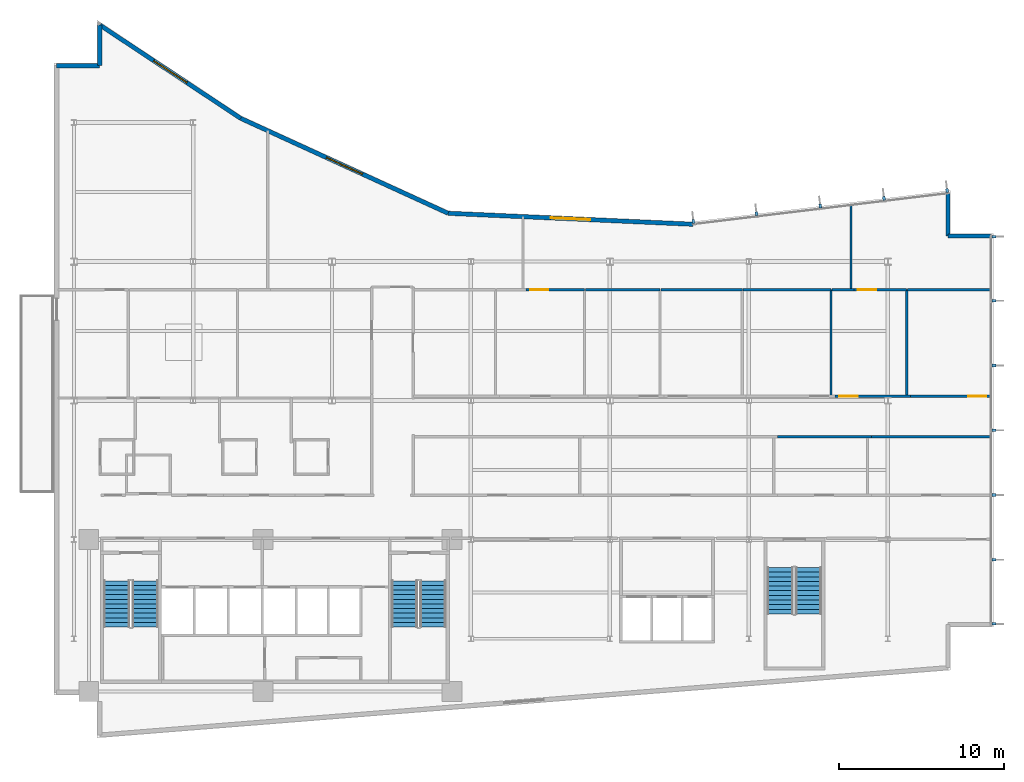
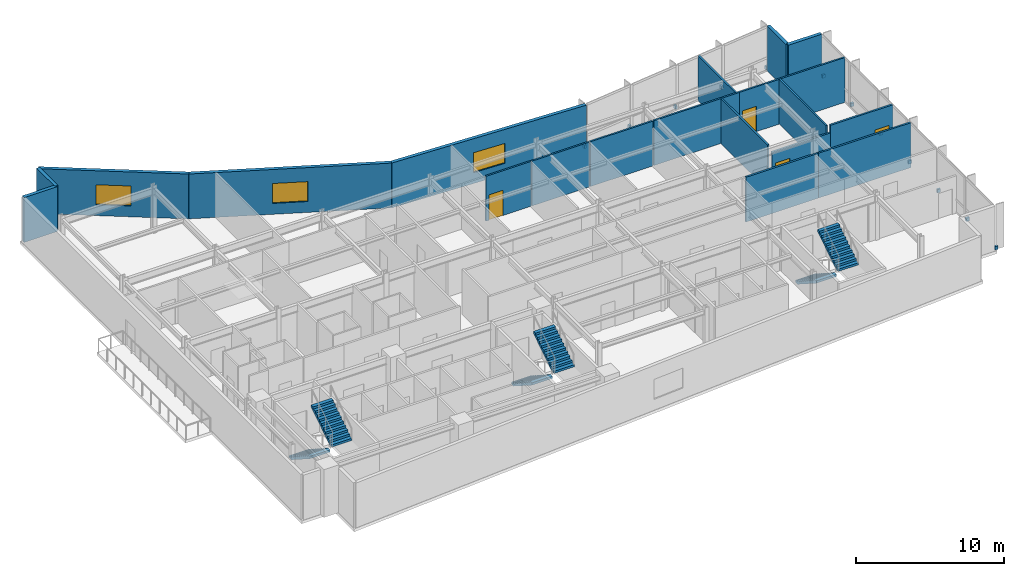
# One storey, part 13 of 17: 21 walls, 12 discrete accessories, 6 stair flights, 4 doors, 3 windows, 7 openings, 3 elements without a shape of their own.
"""IFC4 building model written with IfcOpenShell, lengths in metres."""

from ifc_helpers import new_model, si_unit, direction, frame, frame_2d, origin, origin_2d, place, context, subcontext, project, spatial, polyline, rectangle, outline, extrude, material, layer, layer_set, type_object, element, fill, aggregate, save


model = new_model("IFC4")

# Units and contexts
model_context = context("Model", 3, precision=1e-05, world=origin(), true_north=direction((0.0, 1.0)))
body_context = subcontext(model_context, "Body", "Model", "MODEL_VIEW")
ifc_project = project(units=[si_unit("LENGTHUNIT", "METRE"), si_unit("AREAUNIT", "SQUARE_METRE"), si_unit("VOLUMEUNIT", "CUBIC_METRE"), si_unit("PLANEANGLEUNIT", "RADIAN"), si_unit("MASSUNIT", "GRAM", prefix="KILO")], contexts=[model_context])

# Site, building, storey
site_placement = place(None, origin())
site = spatial("IfcSite", under=ifc_project, at=site_placement, CompositionType="ELEMENT")
building_placement = place(site_placement, origin())
building = spatial("IfcBuilding", under=site, at=building_placement, Name="Varnakote Quay Hospital", CompositionType="ELEMENT")
storey_placement = place(building_placement, frame((0.0, 0.0, 127.050048828125)))
storey = spatial("IfcBuildingStorey", under=building, at=storey_placement, Name="L31", CompositionType="ELEMENT", Elevation=127.050048828125)

# Walls
ifc_material_1 = material(Name="Precast concrete N50 (f'c 50 MPa)", Category="concrete")
ifc_layer_1 = layer(ifc_material_1, 0.260009765625)
ifc_layer_set_1 = layer_set([ifc_layer_1], Name="Precast concrete N50 (f'c 50 MPa)")
wall_type_1 = type_object("IfcWallType", Name="WL-EXT-BRICK-260", PredefinedType="STANDARD", material=ifc_layer_set_1)
wall_1_placement = place(storey_placement, frame((56.639892578125, 30.340087890625, 0.0), z_axis=(0.0, 0.0, 1.0), x_axis=(-1.0, 0.0, 0.0)))
element("IfcWall", 1, at=wall_1_placement, inside=storey, type_object=wall_type_1, Name="L31 Brick-Faced Precast Exterior Wall", PredefinedType="STANDARD", context=body_context, shape_type="SweptSolid", body=[
    extrude(rectangle(XDim=2.599853515625, YDim=0.260009765625, at=frame_2d((1.2998046875, 0.0))), origin(), (0.0, 0.0, 1.0), 3.7099609375),
])
wall_2_placement = place(storey_placement, frame((54.0400390625, 30.340087890625, 0.0), z_axis=(0.0, 0.0, 1.0), x_axis=(0.0, 1.0, 0.0)))
element("IfcWall", 2, at=wall_2_placement, inside=storey, type_object=wall_type_1, Name="L31 Brick-Faced Precast Exterior Wall", PredefinedType="STANDARD", context=body_context, shape_type="SweptSolid", body=[
    extrude(rectangle(XDim=2.579345703125, YDim=0.260009765625, at=frame_2d((1.28955078125, 0.0))), origin(), (0.0, 0.0, 1.0), 3.7099609375),
])

# Wall, opening, window
wall_3_placement = place(storey_placement, frame((38.630126953125, 31.051513671875, 0.0), z_axis=(0.0, 0.0, 1.0), x_axis=(-0.998996592956, 0.044786239663, 0.0)))
wall_3 = element("IfcWall", 3, at=wall_3_placement, inside=storey, type_object=wall_type_1, Name="L31 Brick-Faced Precast Exterior Wall", PredefinedType="STANDARD", context=body_context, shape_type="SweptSolid", body=[
    extrude(rectangle(XDim=14.827392578125, YDim=0.260009765625, at=frame_2d((7.41357421875, 0.0))), origin(), (0.0, 0.0, 1.0), 3.7099609375),
])
opening_1_placement = place(wall_3_placement, frame((6.213623046875, 0.0, 0.89990234375)))
opening_1 = element("IfcOpeningElement", 4, at=opening_1_placement, cuts=wall_3, Name="Opening WN-0135", PredefinedType="OPENING", context=body_context, shape_type="SweptSolid", body=[
    extrude(rectangle(XDim=2.39990234375, YDim=1.64990234375, at=frame_2d((1.199951171875, 0.824951171875))), frame((0.0, 0.139892578125, 0.0), z_axis=(0.0, -1.0, 0.0), x_axis=(1.0, 0.0, 0.0)), (0.0, 0.0, 1.0), 0.280029296875),
])
ifc_material_2 = material(Name="Double-glazed low-E solar glass", Category="glass")
window_type = type_object("IfcWindowType", Name="WIN-CLIN-2400x1650", PartitioningType="SINGLE_PANEL", PredefinedType="WINDOW", material=ifc_material_2)
window_1_placement = place(opening_1_placement, origin())
window_1 = element("IfcWindow", 5, at=window_1_placement, inside=storey, type_object=window_type, Name="L31 Solar-Control Clinical Window", OverallHeight=1.64990234375, OverallWidth=2.39990234375, PartitioningType="SINGLE_PANEL", PredefinedType="WINDOW", context=body_context, shape_type="SweptSolid", body=[
    extrude(rectangle(XDim=2.39990234375, YDim=1.64990234375, at=frame_2d((1.199951171875, 0.824951171875))), frame((0.0, 0.030029296875, 0.0), z_axis=(0.0, -1.0, 0.0), x_axis=(1.0, 0.0, 0.0)), (0.0, 0.0, 1.0), 0.06005859375),
])
fill(opening_1, window_1)

wall_4_placement = place(storey_placement, frame((23.817626953125, 31.715576171875, 0.0), z_axis=(0.0, 0.0, 1.0), x_axis=(-0.909209527513, 0.416338846471, 0.0)))
wall_4 = element("IfcWall", 6, at=wall_4_placement, inside=storey, type_object=wall_type_1, Name="L31 Brick-Faced Precast Exterior Wall", PredefinedType="STANDARD", context=body_context, shape_type="SweptSolid", body=[
    extrude(rectangle(XDim=13.787353515625, YDim=0.260009765625, at=frame_2d((6.8935546875, 0.0))), origin(), (0.0, 0.0, 1.0), 3.7099609375),
])
opening_2_placement = place(wall_4_placement, frame((5.693603515625, 0.0, 0.89990234375)))
opening_2 = element("IfcOpeningElement", 7, at=opening_2_placement, cuts=wall_4, Name="Opening WN-0136", PredefinedType="OPENING", context=body_context, shape_type="SweptSolid", body=[
    extrude(rectangle(XDim=2.39990234375, YDim=1.64990234375, at=frame_2d((1.199951171875, 0.824951171875))), frame((0.0, 0.139892578125, 0.0), z_axis=(0.0, -1.0, 0.0), x_axis=(1.0, 0.0, 0.0)), (0.0, 0.0, 1.0), 0.280029296875),
])
window_2_placement = place(opening_2_placement, origin())
window_2 = element("IfcWindow", 8, at=window_2_placement, inside=storey, type_object=window_type, Name="L31 Solar-Control Clinical Window", OverallHeight=1.64990234375, OverallWidth=2.39990234375, PartitioningType="SINGLE_PANEL", PredefinedType="WINDOW", context=body_context, shape_type="SweptSolid", body=[
    extrude(rectangle(XDim=2.39990234375, YDim=1.64990234375, at=frame_2d((1.199951171875, 0.824951171875))), frame((0.0, 0.030029296875, 0.0), z_axis=(0.0, -1.0, 0.0), x_axis=(1.0, 0.0, 0.0)), (0.0, 0.0, 1.0), 0.06005859375),
])
fill(opening_2, window_2)

wall_5_placement = place(storey_placement, frame((11.281982421875, 37.455810546875, 0.0), z_axis=(0.0, 0.0, 1.0), x_axis=(-0.833630474253, 0.552322580017, 0.0)))
wall_5 = element("IfcWall", 9, at=wall_5_placement, inside=storey, type_object=wall_type_1, Name="L31 Brick-Faced Precast Exterior Wall", PredefinedType="STANDARD", context=body_context, shape_type="SweptSolid", body=[
    extrude(rectangle(XDim=10.22265625, YDim=0.260009765625, at=frame_2d((5.111328125, 0.0))), origin(), (0.0, 0.0, 1.0), 3.7099609375),
])
opening_3_placement = place(wall_5_placement, frame((3.911376953125, 0.0, 0.89990234375)))
opening_3 = element("IfcOpeningElement", 10, at=opening_3_placement, cuts=wall_5, Name="Opening WN-0137", PredefinedType="OPENING", context=body_context, shape_type="SweptSolid", body=[
    extrude(rectangle(XDim=2.39990234375, YDim=1.64990234375, at=frame_2d((1.199951171875, 0.824951171875))), frame((0.0, 0.139892578125, 0.0), z_axis=(0.0, -1.0, 0.0), x_axis=(1.0, 0.0, 0.0)), (0.0, 0.0, 1.0), 0.280029296875),
])
window_3_placement = place(opening_3_placement, origin())
window_3 = element("IfcWindow", 11, at=window_3_placement, inside=storey, type_object=window_type, Name="L31 Solar-Control Clinical Window", OverallHeight=1.64990234375, OverallWidth=2.39990234375, PartitioningType="SINGLE_PANEL", PredefinedType="WINDOW", context=body_context, shape_type="SweptSolid", body=[
    extrude(rectangle(XDim=2.39990234375, YDim=1.64990234375, at=frame_2d((1.199951171875, 0.824951171875))), frame((0.0, 0.030029296875, 0.0), z_axis=(0.0, -1.0, 0.0), x_axis=(1.0, 0.0, 0.0)), (0.0, 0.0, 1.0), 0.06005859375),
])
fill(opening_3, window_3)

# Walls
wall_6_placement = place(storey_placement, frame((2.760009765625, 43.10205078125, 0.0), z_axis=(0.0, 0.0, 1.0), x_axis=(0.0, -1.0, 0.0)))
element("IfcWall", 12, at=wall_6_placement, inside=storey, type_object=wall_type_1, Name="L31 Brick-Faced Precast Exterior Wall", PredefinedType="STANDARD", context=body_context, shape_type="SweptSolid", body=[
    extrude(rectangle(XDim=2.462158203125, YDim=0.260009765625, at=frame_2d((1.23095703125, 0.0))), origin(), (0.0, 0.0, 1.0), 3.7099609375),
])
wall_7_placement = place(storey_placement, frame((2.760009765625, 40.639892578125, 0.0), z_axis=(0.0, 0.0, 1.0), x_axis=(-1.0, 0.0, 0.0)))
element("IfcWall", 13, at=wall_7_placement, inside=storey, type_object=wall_type_1, Name="L31 Brick-Faced Precast Exterior Wall", PredefinedType="STANDARD", context=body_context, shape_type="SweptSolid", body=[
    extrude(rectangle(XDim=2.60009765625, YDim=0.260009765625, at=frame_2d((1.300048828125, 0.0))), origin(), (0.0, 0.0, 1.0), 3.7099609375),
])

# Wall, opening, door
ifc_material_3 = material(Name="Smoke-proof clinical partition", Category="gypsum")
ifc_layer_2 = layer(ifc_material_3, 0.135009765625)
ifc_layer_set_2 = layer_set([ifc_layer_2], Name="Smoke-proof clinical partition")
wall_type_2 = type_object("IfcWallType", Name="WL-SMOKE-135", PredefinedType="PARTITIONING", material=ifc_layer_set_2)
wall_8_placement = place(storey_placement, frame((32.06005859375, 27.10009765625, 0.0), z_axis=(0.0, 0.0, 1.0), x_axis=(-1.0, 0.0, 0.0)))
wall_8 = element("IfcWall", 14, at=wall_8_placement, inside=storey, type_object=wall_type_2, Name="L31 Clinical Interior Partition", PredefinedType="PARTITIONING", context=body_context, shape_type="SweptSolid", body=[
    extrude(rectangle(XDim=3.53955078125, YDim=0.135009765625, at=frame_2d((1.769775390625, 0.0))), origin(), (0.0, 0.0, 1.0), 3.7099609375),
])
opening_4_placement = place(wall_8_placement, frame((2.1884765625, 0.0, 0.0)))
opening_4 = element("IfcOpeningElement", 15, at=opening_4_placement, cuts=wall_8, Name="Opening D-L31-MD17", PredefinedType="OPENING", context=body_context, shape_type="SweptSolid", body=[
    extrude(rectangle(XDim=1.10009765625, YDim=2.10009765625, at=frame_2d((0.550048828125, 1.050048828125))), frame((0.0, 0.077392578125, 0.0), z_axis=(0.0, -1.0, 0.0), x_axis=(1.0, 0.0, 0.0)), (0.0, 0.0, 1.0), 0.155029296875),
])
ifc_material_4 = material(Name="Acoustic timber clinical consult door", Category="wood")
door_type = type_object("IfcDoorType", Name="DR-CLIN-FD30S-1100x2100", OperationType="NOTDEFINED", PredefinedType="DOOR", material=ifc_material_4)
door_1_placement = place(opening_4_placement, origin())
door_1 = element("IfcDoor", 16, at=door_1_placement, inside=storey, type_object=door_type, Name="L31 Paediatric Clinical Teaching Room Door", OperationType="SINGLE_SWING_LEFT", OverallHeight=2.10009765625, OverallWidth=1.10009765625, PredefinedType="DOOR", context=body_context, shape_type="SweptSolid", body=[
    extrude(rectangle(XDim=1.10009765625, YDim=2.10009765625, at=frame_2d((0.550048828125, 1.050048828125))), frame((0.0, 0.02490234375, 0.0), z_axis=(0.0, -1.0, 0.0), x_axis=(1.0, 0.0, 0.0)), (0.0, 0.0, 1.0), 0.050048828125),
])
fill(opening_4, door_1)

# Walls
wall_9_placement = place(storey_placement, frame((36.6298828125, 27.10009765625, 0.0), z_axis=(0.0, 0.0, 1.0), x_axis=(-1.0, 0.0, 0.0)))
element("IfcWall", 17, at=wall_9_placement, inside=storey, type_object=wall_type_2, Name="L31 Clinical Interior Partition", PredefinedType="PARTITIONING", context=body_context, shape_type="SweptSolid", body=[
    extrude(rectangle(XDim=4.512451171875, YDim=0.135009765625, at=frame_2d((2.25634765625, 0.0))), origin(), (0.0, 0.0, 1.0), 3.7099609375),
])
wall_10_placement = place(storey_placement, frame((41.60009765625, 27.10009765625, 0.0), z_axis=(0.0, 0.0, 1.0), x_axis=(-1.0, 0.0, 0.0)))
element("IfcWall", 18, at=wall_10_placement, inside=storey, type_object=wall_type_2, Name="L31 Clinical Interior Partition", PredefinedType="PARTITIONING", context=body_context, shape_type="SweptSolid", body=[
    extrude(rectangle(XDim=4.91259765625, YDim=0.135009765625, at=frame_2d((2.456298828125, 0.0))), origin(), (0.0, 0.0, 1.0), 3.7099609375),
])
wall_11_placement = place(storey_placement, frame((46.969970703125, 20.715087890625, 0.0), z_axis=(0.0, 0.0, 1.0), x_axis=(0.0, 1.0, 0.0)))
element("IfcWall", 19, at=wall_11_placement, inside=storey, type_object=wall_type_2, Name="L31 Clinical Interior Partition", PredefinedType="PARTITIONING", context=body_context, shape_type="SweptSolid", body=[
    extrude(rectangle(XDim=6.385009765625, YDim=0.135009765625, at=frame_2d((3.1923828125, 0.0))), origin(), (0.0, 0.0, 1.0), 3.7099609375),
])
wall_12_placement = place(storey_placement, frame((46.969970703125, 27.10009765625, 0.0), z_axis=(0.0, 0.0, 1.0), x_axis=(-1.0, 0.0, 0.0)))
element("IfcWall", 20, at=wall_12_placement, inside=storey, type_object=wall_type_2, Name="L31 Clinical Interior Partition", PredefinedType="PARTITIONING", context=body_context, shape_type="SweptSolid", body=[
    extrude(rectangle(XDim=5.3125, YDim=0.135009765625, at=frame_2d((2.65625, 0.0))), origin(), (0.0, 0.0, 1.0), 3.7099609375),
])
wall_13_placement = place(storey_placement, frame((51.5400390625, 20.715087890625, 0.0), z_axis=(0.0, 0.0, 1.0), x_axis=(0.0, 1.0, 0.0)))
element("IfcWall", 21, at=wall_13_placement, inside=storey, type_object=wall_type_2, Name="L31 Clinical Interior Partition", PredefinedType="PARTITIONING", context=body_context, shape_type="SweptSolid", body=[
    extrude(rectangle(XDim=6.385009765625, YDim=0.135009765625, at=frame_2d((3.1923828125, 0.0))), origin(), (0.0, 0.0, 1.0), 3.7099609375),
])
wall_14_placement = place(storey_placement, frame((48.348388671875, 27.10009765625, 0.0), z_axis=(0.0, 0.0, 1.0), x_axis=(-1.0, 0.0, 0.0)))
element("IfcWall", 22, at=wall_14_placement, inside=storey, type_object=wall_type_2, Name="L31 Clinical Interior Partition", PredefinedType="PARTITIONING", context=body_context, shape_type="SweptSolid", body=[
    extrude(rectangle(XDim=1.32080078125, YDim=0.135009765625, at=frame_2d((0.660400390625, 0.0))), origin(), (0.0, 0.0, 1.0), 3.7099609375),
])

# Wall, opening, door
wall_15_placement = place(storey_placement, frame((51.5400390625, 27.10009765625, 0.0), z_axis=(0.0, 0.0, 1.0), x_axis=(-1.0, 0.0, 0.0)))
wall_15 = element("IfcWall", 23, at=wall_15_placement, inside=storey, type_object=wall_type_2, Name="L31 Clinical Interior Partition", PredefinedType="PARTITIONING", context=body_context, shape_type="SweptSolid", body=[
    extrude(rectangle(XDim=3.189453125, YDim=0.135009765625, at=frame_2d((1.5947265625, 0.0))), origin(), (0.0, 0.0, 1.0), 3.7099609375),
])
opening_5_placement = place(wall_15_placement, frame((1.847412109375, 0.0, 0.0)))
opening_5 = element("IfcOpeningElement", 24, at=opening_5_placement, cuts=wall_15, Name="Opening D-L31-MD18", PredefinedType="OPENING", context=body_context, shape_type="SweptSolid", body=[
    extrude(rectangle(XDim=1.10009765625, YDim=2.10009765625, at=frame_2d((0.550048828125, 1.050048828125))), frame((0.0, 0.077392578125, 0.0), z_axis=(0.0, -1.0, 0.0), x_axis=(1.0, 0.0, 0.0)), (0.0, 0.0, 1.0), 0.155029296875),
])
door_2_placement = place(opening_5_placement, origin())
door_2 = element("IfcDoor", 25, at=door_2_placement, inside=storey, type_object=door_type, Name="L31 Maternity Assessment Treatment Suite Door", OperationType="SINGLE_SWING_RIGHT", OverallHeight=2.10009765625, OverallWidth=1.10009765625, PredefinedType="DOOR", context=body_context, shape_type="SweptSolid", body=[
    extrude(rectangle(XDim=1.10009765625, YDim=2.10009765625, at=frame_2d((0.550048828125, 1.050048828125))), frame((0.0, 0.02490234375, 0.0), z_axis=(0.0, -1.0, 0.0), x_axis=(1.0, 0.0, 0.0)), (0.0, 0.0, 1.0), 0.050048828125),
])
fill(opening_5, door_2)

# Walls
wall_16_placement = place(storey_placement, frame((56.639892578125, 27.10009765625, 0.0), z_axis=(0.0, 0.0, 1.0), x_axis=(-1.0, 0.0, 0.0)))
element("IfcWall", 26, at=wall_16_placement, inside=storey, type_object=wall_type_2, Name="L31 Clinical Interior Partition", PredefinedType="PARTITIONING", context=body_context, shape_type="SweptSolid", body=[
    extrude(rectangle(XDim=5.04248046875, YDim=0.135009765625, at=frame_2d((2.521240234375, 0.0))), origin(), (0.0, 0.0, 1.0), 3.7099609375),
])
wall_17_placement = place(storey_placement, frame((48.169921875, 27.157470703125, 0.0), z_axis=(0.0, 0.0, 1.0), x_axis=(0.0, 1.0, 0.0)))
element("IfcWall", 27, at=wall_17_placement, inside=storey, type_object=wall_type_2, Name="L31 Clinical Interior Partition", PredefinedType="PARTITIONING", context=body_context, shape_type="SweptSolid", body=[
    extrude(rectangle(XDim=5.050537109375, YDim=0.135009765625, at=frame_2d((2.525390625, 0.0))), origin(), (0.0, 0.0, 1.0), 3.7099609375),
])
ifc_material_5 = material(Name="Fire-rated clinical gypsum partition", Category="gypsum")
ifc_layer_3 = layer(ifc_material_5, 0.14990234375)
ifc_layer_set_3 = layer_set([ifc_layer_3], Name="Fire-rated clinical gypsum partition")
wall_type_3 = type_object("IfcWallType", Name="WL-WARD-150", PredefinedType="PARTITIONING", material=ifc_layer_set_3)
wall_18_placement = place(storey_placement, frame((43.72802734375, 18.199951171875, 0.0), z_axis=(0.0, 0.0, 1.0), x_axis=(1.0, 0.0, 0.0)))
element("IfcWall", 28, at=wall_18_placement, inside=storey, type_object=wall_type_3, Name="L31 Clinical Interior Partition", PredefinedType="PARTITIONING", context=body_context, shape_type="SweptSolid", body=[
    extrude(rectangle(XDim=5.66796875, YDim=0.14990234375, at=frame_2d((2.833984375, 0.0))), origin(), (0.0, 0.0, 1.0), 3.7099609375),
])
wall_19_placement = place(storey_placement, frame((49.39794921875, 18.199951171875, 0.0), z_axis=(0.0, 0.0, 1.0), x_axis=(1.0, 0.0, 0.0)))
element("IfcWall", 29, at=wall_19_placement, inside=storey, type_object=wall_type_3, Name="L31 Clinical Interior Partition", PredefinedType="PARTITIONING", context=body_context, shape_type="SweptSolid", body=[
    extrude(rectangle(XDim=7.241943359375, YDim=0.14990234375, at=frame_2d((3.62109375, 0.0))), origin(), (0.0, 0.0, 1.0), 3.7099609375),
])

# Wall, opening, door
wall_20_placement = place(storey_placement, frame((51.76611328125, 20.64990234375, 0.0), z_axis=(0.0, 0.0, 1.0), x_axis=(-1.0, 0.0, 0.0)))
wall_20 = element("IfcWall", 30, at=wall_20_placement, inside=storey, type_object=wall_type_3, Name="L31 Clinical Interior Partition", PredefinedType="PARTITIONING", context=body_context, shape_type="SweptSolid", body=[
    extrude(rectangle(XDim=4.568115234375, YDim=0.14990234375, at=frame_2d((2.2841796875, 0.0))), origin(), (0.0, 0.0, 1.0), 3.0830078125),
])
opening_6_placement = place(wall_20_placement, frame((3.19140625, 0.0, 0.0)))
opening_6 = element("IfcOpeningElement", 31, at=opening_6_placement, cuts=wall_20, Name="Opening D-L31-MD13", PredefinedType="OPENING", context=body_context, shape_type="SweptSolid", body=[
    extrude(rectangle(XDim=1.10009765625, YDim=2.10009765625, at=frame_2d((0.550048828125, 1.050048828125))), frame((0.0, 0.0849609375, 0.0), z_axis=(0.0, -1.0, 0.0), x_axis=(1.0, 0.0, 0.0)), (0.0, 0.0, 1.0), 0.169921875),
])
door_3_placement = place(opening_6_placement, origin())
door_3 = element("IfcDoor", 32, at=door_3_placement, inside=storey, type_object=door_type, Name="L31 Paediatric Clinical Teaching Room Door", OperationType="SINGLE_SWING_RIGHT", OverallHeight=2.10009765625, OverallWidth=1.10009765625, PredefinedType="DOOR", context=body_context, shape_type="SweptSolid", body=[
    extrude(rectangle(XDim=1.10009765625, YDim=2.10009765625, at=frame_2d((0.550048828125, 1.050048828125))), frame((0.0, 0.02490234375, 0.0), z_axis=(0.0, -1.0, 0.0), x_axis=(1.0, 0.0, 0.0)), (0.0, 0.0, 1.0), 0.050048828125),
])
fill(opening_6, door_3)

wall_21_placement = place(storey_placement, frame((56.639892578125, 20.64990234375, 0.0), z_axis=(0.0, 0.0, 1.0), x_axis=(-1.0, 0.0, 0.0)))
wall_21 = element("IfcWall", 33, at=wall_21_placement, inside=storey, type_object=wall_type_3, Name="L31 Clinical Interior Partition", PredefinedType="PARTITIONING", context=body_context, shape_type="SweptSolid", body=[
    extrude(rectangle(XDim=4.871826171875, YDim=0.14990234375, at=frame_2d((2.43603515625, 0.0))), origin(), (0.0, 0.0, 1.0), 3.7099609375),
])
opening_7_placement = place(wall_21_placement, frame((0.2841796875, 0.0, 0.0)))
opening_7 = element("IfcOpeningElement", 34, at=opening_7_placement, cuts=wall_21, Name="Opening D-L31-MD14", PredefinedType="OPENING", context=body_context, shape_type="SweptSolid", body=[
    extrude(rectangle(XDim=1.10009765625, YDim=2.10009765625, at=frame_2d((0.550048828125, 1.050048828125))), frame((0.0, 0.0849609375, 0.0), z_axis=(0.0, -1.0, 0.0), x_axis=(1.0, 0.0, 0.0)), (0.0, 0.0, 1.0), 0.169921875),
])
door_4_placement = place(opening_7_placement, origin())
door_4 = element("IfcDoor", 35, at=door_4_placement, inside=storey, type_object=door_type, Name="L31 Maternity Assessment Treatment Suite Door", OperationType="SINGLE_SWING_LEFT", OverallHeight=2.10009765625, OverallWidth=1.10009765625, PredefinedType="DOOR", context=body_context, shape_type="SweptSolid", body=[
    extrude(rectangle(XDim=1.10009765625, YDim=2.10009765625, at=frame_2d((0.550048828125, 1.050048828125))), frame((0.0, 0.02490234375, 0.0), z_axis=(0.0, -1.0, 0.0), x_axis=(1.0, 0.0, 0.0)), (0.0, 0.0, 1.0), 0.050048828125),
])
fill(opening_7, door_4)

# Stair, stair flights
ifc_material_6 = material(Name="Concrete N40 (f'c 40 MPa)", Category="concrete")
stair_type = type_object("IfcStairType", Name="STR-CORE-1580", PredefinedType="HALF_TURN_STAIR", material=ifc_material_6)
stair_1_placement = place(storey_placement, origin())
stair_1 = element("IfcStair", 36, at=stair_1_placement, inside=storey, type_object=stair_type, Name="L31 Fire-Isolated Exit Stair ST-01", PredefinedType="HALF_TURN_STAIR")
ifc_material_7 = material(Name="Concrete N40 (f'c 40 MPa)", Category="concrete")
ifc_layer_4 = layer(ifc_material_7, 0.159912109375)
ifc_layer_set_4 = layer_set([ifc_layer_4], Name="Concrete N40 (f'c 40 MPa)")
stair_flight_type = type_object("IfcStairFlightType", Name="FLT-CORE-1580", PredefinedType="STRAIGHT", material=ifc_layer_set_4)
stair_flight_1_placement = place(storey_placement, frame((3.7900390625, 9.5, 0.0), z_axis=(0.0, 0.0, 1.0), x_axis=(0.0, -1.0, 0.0)))
stair_flight_1 = element("IfcStairFlight", 37, at=stair_flight_1_placement, type_object=stair_flight_type, Name="ST-01 flight 1", NumberOfRisers=11, NumberOfTreads=10, PredefinedType="STRAIGHT", RiserHeight=0.179545455, TreadLength=0.28, context=body_context, shape_type="SweptSolid", body=[
    extrude(outline(polyline([(0.0, 0.0), (0.0, 0.179443359375), (0.280029296875, 0.179443359375), (0.280029296875, 0.359130859375), (0.56005859375, 0.359130859375), (0.56005859375, 0.53857421875), (0.840087890625, 0.53857421875), (0.840087890625, 0.71826171875), (1.1201171875, 0.71826171875), (1.1201171875, 0.897705078125), (1.39990234375, 0.897705078125), (1.39990234375, 1.077392578125), (1.679931640625, 1.077392578125), (1.679931640625, 1.2568359375), (1.9599609375, 1.2568359375), (1.9599609375, 1.436279296875), (2.239990234375, 1.436279296875), (2.239990234375, 1.615966796875), (2.52001953125, 1.615966796875), (2.52001953125, 1.79541015625), (2.800048828125, 1.79541015625), (2.800048828125, 1.97509765625), (2.800048828125, 1.60546875), (0.296142578125, 0.0), (0.0, 0.0)])), frame((0.0, 0.7900390625, 0.0), z_axis=(0.0, -1.0, 0.0), x_axis=(1.0, 0.0, 0.0)), (0.0, 0.0, 1.0), 1.580078125),
])
stair_flight_2_placement = place(storey_placement, frame((5.510009765625, 6.699951171875, 1.974853515625), z_axis=(0.0, 0.0, 1.0), x_axis=(0.0, 1.0, 0.0)))
stair_flight_2 = element("IfcStairFlight", 38, at=stair_flight_2_placement, type_object=stair_flight_type, Name="ST-01 flight 2", NumberOfRisers=11, NumberOfTreads=10, PredefinedType="STRAIGHT", RiserHeight=0.179545455, TreadLength=0.28, context=body_context, shape_type="SweptSolid", body=[
    extrude(outline(polyline([(0.0, 0.0), (0.0, 0.179443359375), (0.280029296875, 0.179443359375), (0.280029296875, 0.359130859375), (0.56005859375, 0.359130859375), (0.56005859375, 0.53857421875), (0.840087890625, 0.53857421875), (0.840087890625, 0.71826171875), (1.1201171875, 0.71826171875), (1.1201171875, 0.897705078125), (1.39990234375, 0.897705078125), (1.39990234375, 1.077392578125), (1.679931640625, 1.077392578125), (1.679931640625, 1.2568359375), (1.9599609375, 1.2568359375), (1.9599609375, 1.436279296875), (2.239990234375, 1.436279296875), (2.239990234375, 1.615966796875), (2.52001953125, 1.615966796875), (2.52001953125, 1.79541015625), (2.800048828125, 1.79541015625), (2.800048828125, 1.97509765625), (2.800048828125, 1.60546875), (0.296142578125, 0.0), (0.0, 0.0)])), frame((0.0, 0.7900390625, 0.0), z_axis=(0.0, -1.0, 0.0), x_axis=(1.0, 0.0, 0.0)), (0.0, 0.0, 1.0), 1.580078125),
])
aggregate(stair_1, [stair_flight_1, stair_flight_2])

stair_2_placement = place(storey_placement, origin())
stair_2 = element("IfcStair", 39, at=stair_2_placement, inside=storey, type_object=stair_type, Name="L31 Fire-Isolated Exit Stair ST-02", PredefinedType="HALF_TURN_STAIR")
stair_flight_3_placement = place(storey_placement, frame((21.18994140625, 9.5, 0.0), z_axis=(0.0, 0.0, 1.0), x_axis=(0.0, -1.0, 0.0)))
stair_flight_3 = element("IfcStairFlight", 40, at=stair_flight_3_placement, type_object=stair_flight_type, Name="ST-02 flight 1", NumberOfRisers=11, NumberOfTreads=10, PredefinedType="STRAIGHT", RiserHeight=0.179545455, TreadLength=0.28, context=body_context, shape_type="SweptSolid", body=[
    extrude(outline(polyline([(0.0, 0.0), (0.0, 0.179443359375), (0.280029296875, 0.179443359375), (0.280029296875, 0.359130859375), (0.56005859375, 0.359130859375), (0.56005859375, 0.53857421875), (0.840087890625, 0.53857421875), (0.840087890625, 0.71826171875), (1.1201171875, 0.71826171875), (1.1201171875, 0.897705078125), (1.39990234375, 0.897705078125), (1.39990234375, 1.077392578125), (1.679931640625, 1.077392578125), (1.679931640625, 1.2568359375), (1.9599609375, 1.2568359375), (1.9599609375, 1.436279296875), (2.239990234375, 1.436279296875), (2.239990234375, 1.615966796875), (2.52001953125, 1.615966796875), (2.52001953125, 1.79541015625), (2.800048828125, 1.79541015625), (2.800048828125, 1.97509765625), (2.800048828125, 1.60546875), (0.296142578125, 0.0), (0.0, 0.0)])), frame((0.0, 0.7900390625, 0.0), z_axis=(0.0, -1.0, 0.0), x_axis=(1.0, 0.0, 0.0)), (0.0, 0.0, 1.0), 1.580078125),
])
stair_flight_4_placement = place(storey_placement, frame((22.909912109375, 6.699951171875, 1.974853515625), z_axis=(0.0, 0.0, 1.0), x_axis=(0.0, 1.0, 0.0)))
stair_flight_4 = element("IfcStairFlight", 41, at=stair_flight_4_placement, type_object=stair_flight_type, Name="ST-02 flight 2", NumberOfRisers=11, NumberOfTreads=10, PredefinedType="STRAIGHT", RiserHeight=0.179545455, TreadLength=0.28, context=body_context, shape_type="SweptSolid", body=[
    extrude(outline(polyline([(0.0, 0.0), (0.0, 0.179443359375), (0.280029296875, 0.179443359375), (0.280029296875, 0.359130859375), (0.56005859375, 0.359130859375), (0.56005859375, 0.53857421875), (0.840087890625, 0.53857421875), (0.840087890625, 0.71826171875), (1.1201171875, 0.71826171875), (1.1201171875, 0.897705078125), (1.39990234375, 0.897705078125), (1.39990234375, 1.077392578125), (1.679931640625, 1.077392578125), (1.679931640625, 1.2568359375), (1.9599609375, 1.2568359375), (1.9599609375, 1.436279296875), (2.239990234375, 1.436279296875), (2.239990234375, 1.615966796875), (2.52001953125, 1.615966796875), (2.52001953125, 1.79541015625), (2.800048828125, 1.79541015625), (2.800048828125, 1.97509765625), (2.800048828125, 1.60546875), (0.296142578125, 0.0), (0.0, 0.0)])), frame((0.0, 0.7900390625, 0.0), z_axis=(0.0, -1.0, 0.0), x_axis=(1.0, 0.0, 0.0)), (0.0, 0.0, 1.0), 1.580078125),
])
aggregate(stair_2, [stair_flight_3, stair_flight_4])

stair_3_placement = place(storey_placement, origin())
stair_3 = element("IfcStair", 42, at=stair_3_placement, inside=storey, type_object=stair_type, Name="L31 Fire-Isolated Exit Stair ST-03", PredefinedType="HALF_TURN_STAIR")
stair_flight_5_placement = place(storey_placement, frame((43.889892578125, 10.300048828125, 0.0), z_axis=(0.0, 0.0, 1.0), x_axis=(0.0, -1.0, 0.0)))
stair_flight_5 = element("IfcStairFlight", 43, at=stair_flight_5_placement, type_object=stair_flight_type, Name="ST-03 flight 1", NumberOfRisers=11, NumberOfTreads=10, PredefinedType="STRAIGHT", RiserHeight=0.179545455, TreadLength=0.28, context=body_context, shape_type="SweptSolid", body=[
    extrude(outline(polyline([(0.0, 0.0), (0.0, 0.179443359375), (0.280029296875, 0.179443359375), (0.280029296875, 0.359130859375), (0.56005859375, 0.359130859375), (0.56005859375, 0.53857421875), (0.840087890625, 0.53857421875), (0.840087890625, 0.71826171875), (1.1201171875, 0.71826171875), (1.1201171875, 0.897705078125), (1.39990234375, 0.897705078125), (1.39990234375, 1.077392578125), (1.679931640625, 1.077392578125), (1.679931640625, 1.2568359375), (1.9599609375, 1.2568359375), (1.9599609375, 1.436279296875), (2.239990234375, 1.436279296875), (2.239990234375, 1.615966796875), (2.52001953125, 1.615966796875), (2.52001953125, 1.79541015625), (2.800048828125, 1.79541015625), (2.800048828125, 1.97509765625), (2.800048828125, 1.60546875), (0.296142578125, 0.0), (0.0, 0.0)])), frame((0.0, 0.7900390625, 0.0), z_axis=(0.0, -1.0, 0.0), x_axis=(1.0, 0.0, 0.0)), (0.0, 0.0, 1.0), 1.580078125),
])
stair_flight_6_placement = place(storey_placement, frame((45.610107421875, 7.5, 1.974853515625), z_axis=(0.0, 0.0, 1.0), x_axis=(0.0, 1.0, 0.0)))
stair_flight_6 = element("IfcStairFlight", 44, at=stair_flight_6_placement, type_object=stair_flight_type, Name="ST-03 flight 2", NumberOfRisers=11, NumberOfTreads=10, PredefinedType="STRAIGHT", RiserHeight=0.179545455, TreadLength=0.28, context=body_context, shape_type="SweptSolid", body=[
    extrude(outline(polyline([(0.0, 0.0), (0.0, 0.179443359375), (0.280029296875, 0.179443359375), (0.280029296875, 0.359130859375), (0.56005859375, 0.359130859375), (0.56005859375, 0.53857421875), (0.840087890625, 0.53857421875), (0.840087890625, 0.71826171875), (1.1201171875, 0.71826171875), (1.1201171875, 0.897705078125), (1.39990234375, 0.897705078125), (1.39990234375, 1.077392578125), (1.679931640625, 1.077392578125), (1.679931640625, 1.2568359375), (1.9599609375, 1.2568359375), (1.9599609375, 1.436279296875), (2.239990234375, 1.436279296875), (2.239990234375, 1.615966796875), (2.52001953125, 1.615966796875), (2.52001953125, 1.79541015625), (2.800048828125, 1.79541015625), (2.800048828125, 1.97509765625), (2.800048828125, 1.60546875), (0.296142578125, 0.0), (0.0, 0.0)])), frame((0.0, 0.7900390625, 0.0), z_axis=(0.0, -1.0, 0.0), x_axis=(1.0, 0.0, 0.0)), (0.0, 0.0, 1.0), 1.580078125),
])
aggregate(stair_3, [stair_flight_5, stair_flight_6])

# Discrete accessories
ifc_material_8 = material(Name="Anodised aluminium 6063-T6 Bronze", Category="aluminium")
discrete_accessory_type = type_object("IfcDiscreteAccessoryType", Name="ACC-FIN-BRACKET-180", PredefinedType="BRACKET", material=ifc_material_8)
for number, where, z_axis, x_axis, name in (
    (45, (56.81005859375, 6.8974609375, 0.0), (0.0, 0.0, 1.0), (0.0, 1.0, 0.0), "L31 Curtain Wall Fin Fixing Bracket"),
    (46, (56.81005859375, 10.773193359375, 0.0), (0.0, 0.0, 1.0), (0.0, 1.0, 0.0), "L31 Curtain Wall Fin Fixing Bracket"),
    (47, (56.81005859375, 14.686767578125, 0.0), (0.0, 0.0, 1.0), (0.0, 1.0, 0.0), "L31 Curtain Wall Fin Fixing Bracket"),
    (48, (56.81005859375, 18.60009765625, 0.0), (0.0, 0.0, 1.0), (0.0, 1.0, 0.0), "L31 Curtain Wall Fin Fixing Bracket"),
    (49, (56.81005859375, 22.51318359375, 0.0), (0.0, 0.0, 1.0), (0.0, 1.0, 0.0), "L31 Curtain Wall Fin Fixing Bracket"),
    (50, (56.81005859375, 26.4267578125, 0.0), (0.0, 0.0, 1.0), (0.0, 1.0, 0.0), "L31 Curtain Wall Fin Fixing Bracket"),
    (51, (56.81005859375, 30.302490234375, 0.0), (0.0, 0.0, 1.0), (0.0, 1.0, 0.0), "L31 Curtain Wall Fin Fixing Bracket"),
    (52, (53.982421875, 33.083740234375, 0.0), (0.0, 0.0, 1.0), (-0.992736358975, -0.120310105847, 0.0), "L31 Curtain Wall Fin Fixing Bracket"),
    (53, (50.1669921875, 32.62109375, 0.0), (0.0, 0.0, 1.0), (-0.992736358975, -0.120310105847, 0.0), "L31 Curtain Wall Fin Fixing Bracket"),
    (54, (46.314697265625, 32.154296875, 0.0), (0.0, 0.0, 1.0), (-0.992736358975, -0.120310105847, 0.0), "L31 Curtain Wall Fin Fixing Bracket"),
    (55, (42.462158203125, 31.687255859375, 0.0), (0.0, 0.0, 1.0), (-0.992736358975, -0.120310105847, 0.0), "L31 Curtain Wall Fin Fixing Bracket"),
    (56, (38.64697265625, 31.224853515625, 0.0), (0.0, 0.0, 1.0), (-0.992736358975, -0.120310105847, 0.0), "L31 Curtain Wall Fin Fixing Bracket"),
):
    element("IfcDiscreteAccessory", number, at=place(storey_placement, frame(where, z_axis=z_axis, x_axis=x_axis)), inside=storey, type_object=discrete_accessory_type, Name=name, PredefinedType="BRACKET", context=body_context, shape_type="SweptSolid", body=[
        extrude(rectangle(XDim=0.159912109375, YDim=0.239990234375, at=origin_2d()), origin(), (0.0, 0.0, 1.0), 0.280029296875),
    ])

save(model, "model.ifc")
